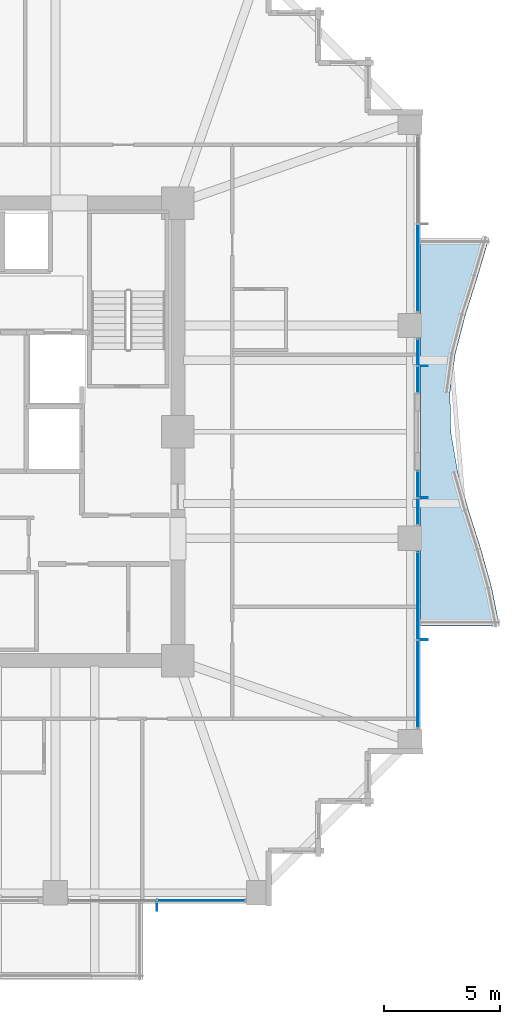
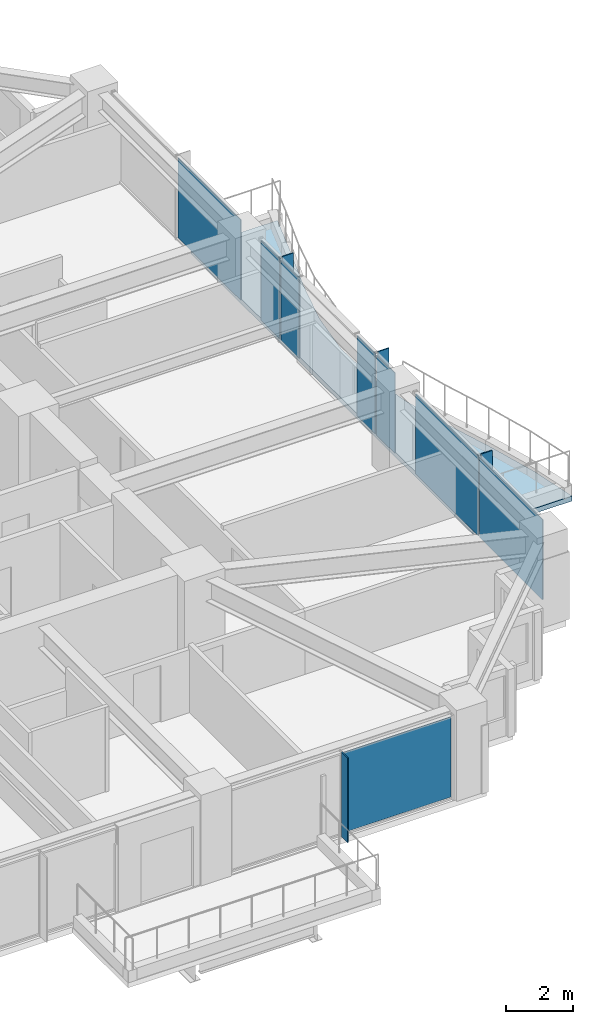
# One storey, part 28 of 38: 12 plates, 1 slab, 5 elements without a shape of their own.
"""IFC4 building model written with IfcOpenShell, lengths in metres."""

from ifc_helpers import new_model, si_unit, direction, frame, origin, origin_2d, place, context, subcontext, project, spatial, polyline, rectangle, outline, extrude, material, layer, layer_set, type_object, element, aggregate, save


model = new_model("IFC4")

# Units and contexts
model_context = context("Model", 3, precision=1e-05, world=origin(), true_north=direction((0.0, 1.0)))
body_context = subcontext(model_context, "Body", "Model", "MODEL_VIEW")
ifc_project = project(units=[si_unit("LENGTHUNIT", "METRE"), si_unit("AREAUNIT", "SQUARE_METRE"), si_unit("VOLUMEUNIT", "CUBIC_METRE"), si_unit("PLANEANGLEUNIT", "RADIAN"), si_unit("MASSUNIT", "GRAM", prefix="KILO")], contexts=[model_context])

# Site, building, storey
site_placement = place(None, origin())
site = spatial("IfcSite", under=ifc_project, at=site_placement, CompositionType="ELEMENT")
building_placement = place(site_placement, origin())
building = spatial("IfcBuilding", under=site, at=building_placement, Name="Kolvaren Belvedere", CompositionType="ELEMENT")
storey_placement = place(building_placement, frame((0.0, 0.0, 101.89990234375)))
storey = spatial("IfcBuildingStorey", under=building, at=storey_placement, Name="L29", CompositionType="ELEMENT", Elevation=101.89990234375)

# Curtain wall, plate
ifc_material_1 = material(Name="Anodised pale-metal aluminium AA 6063-T6", Category="aluminium")
curtain_wall_type = type_object("IfcCurtainWallType", Name="CW-Z2-MID", PredefinedType="NOTDEFINED", material=ifc_material_1)
curtain_wall_1_placement = place(storey_placement, origin())
curtain_wall_1 = element("IfcCurtainWall", 1, at=curtain_wall_1_placement, inside=storey, type_object=curtain_wall_type, Name="L29 Unitised Curtain Wall FCW-L29-S1", PredefinedType="NOTDEFINED")
ifc_material_2 = material(Name="Low-iron triple insulated glass", Category="glass")
ifc_layer_1 = layer(ifc_material_2, 0.028076171875)
ifc_layer_set_1 = layer_set([ifc_layer_1], Name="Low-iron triple insulated glass")
plate_type_1 = type_object("IfcPlateType", Name="CW-PNL-VIS28", PredefinedType="CURTAIN_PANEL", material=ifc_layer_set_1)
plate_1_placement = place(storey_placement, frame((10.9111328125, -20.280029296875, 0.080078125), z_axis=(0.0, 0.0, 1.0), x_axis=(-1.0, 0.0, 0.0)))
plate_1 = element("IfcPlate", 2, at=plate_1_placement, type_object=plate_type_1, Name="FCW-L29-S1 Vision Glazing Panel 1", PredefinedType="CURTAIN_PANEL", context=body_context, shape_type="SweptSolid", body=[
    extrude(rectangle(XDim=3.742431640625, YDim=0.028076171875, at=origin_2d()), origin(), (0.0, 0.0, 1.0), 2.919921875),
])
aggregate(curtain_wall_1, [plate_1])

curtain_wall_2_placement = place(storey_placement, origin())
curtain_wall_2 = element("IfcCurtainWall", 3, at=curtain_wall_2_placement, inside=storey, type_object=curtain_wall_type, Name="L29 Unitised Curtain Wall FCW-L29-E1-B1", PredefinedType="NOTDEFINED")
plate_2_placement = place(storey_placement, frame((20.280029296875, 7.0888671875, 0.080078125), z_axis=(0.0, 0.0, 1.0), x_axis=(0.0, -1.0, 0.0)))
plate_2 = element("IfcPlate", 4, at=plate_2_placement, type_object=plate_type_1, Name="FCW-L29-E1-B1 Vision Glazing Panel 2", PredefinedType="CURTAIN_PANEL", context=body_context, shape_type="SweptSolid", body=[
    extrude(rectangle(XDim=3.742431640625, YDim=0.028076171875, at=origin_2d()), origin(), (0.0, 0.0, 1.0), 2.919921875),
])
aggregate(curtain_wall_2, [plate_2])

# Curtain wall, plates
curtain_wall_3_placement = place(storey_placement, origin())
curtain_wall_3 = element("IfcCurtainWall", 5, at=curtain_wall_3_placement, inside=storey, type_object=curtain_wall_type, Name="L29 Unitised Curtain Wall FCW-L29-E1-B2", PredefinedType="NOTDEFINED")
plate_3_placement = place(storey_placement, frame((20.280029296875, 3.43701171875, 0.080078125), z_axis=(0.0, 0.0, 1.0), x_axis=(0.0, -1.0, 0.0)))
plate_3 = element("IfcPlate", 6, at=plate_3_placement, type_object=plate_type_1, Name="FCW-L29-E1-B2 Vision Glazing Panel 1", PredefinedType="CURTAIN_PANEL", context=body_context, shape_type="SweptSolid", body=[
    extrude(rectangle(XDim=1.09130859375, YDim=0.028076171875, at=origin_2d()), origin(), (0.0, 0.0, 1.0), 2.919921875),
])
plate_4_placement = place(storey_placement, frame((20.280029296875, 2.265625, 0.080078125), z_axis=(0.0, 0.0, 1.0), x_axis=(0.0, -1.0, 0.0)))
plate_4 = element("IfcPlate", 7, at=plate_4_placement, type_object=plate_type_1, Name="FCW-L29-E1-B2 Vision Glazing Panel 2", PredefinedType="CURTAIN_PANEL", context=body_context, shape_type="SweptSolid", body=[
    extrude(rectangle(XDim=1.09130859375, YDim=0.028076171875, at=origin_2d()), origin(), (0.0, 0.0, 1.0), 2.919921875),
])
aggregate(curtain_wall_3, [plate_3, plate_4])

curtain_wall_4_placement = place(storey_placement, origin())
curtain_wall_4 = element("IfcCurtainWall", 8, at=curtain_wall_4_placement, inside=storey, type_object=curtain_wall_type, Name="L29 Unitised Curtain Wall FCW-L29-E2-B1", PredefinedType="NOTDEFINED")
plate_5_placement = place(storey_placement, frame((20.280029296875, -2.265625, 0.080078125), z_axis=(0.0, 0.0, 1.0), x_axis=(0.0, -1.0, 0.0)))
plate_5 = element("IfcPlate", 9, at=plate_5_placement, type_object=plate_type_1, Name="FCW-L29-E2-B1 Vision Glazing Panel 1", PredefinedType="CURTAIN_PANEL", context=body_context, shape_type="SweptSolid", body=[
    extrude(rectangle(XDim=1.09130859375, YDim=0.028076171875, at=origin_2d()), origin(), (0.0, 0.0, 1.0), 2.919921875),
])
plate_6_placement = place(storey_placement, frame((20.280029296875, -3.43701171875, 0.080078125), z_axis=(0.0, 0.0, 1.0), x_axis=(0.0, -1.0, 0.0)))
plate_6 = element("IfcPlate", 10, at=plate_6_placement, type_object=plate_type_1, Name="FCW-L29-E2-B1 Vision Glazing Panel 2", PredefinedType="CURTAIN_PANEL", context=body_context, shape_type="SweptSolid", body=[
    extrude(rectangle(XDim=1.09130859375, YDim=0.028076171875, at=origin_2d()), origin(), (0.0, 0.0, 1.0), 2.919921875),
])
aggregate(curtain_wall_4, [plate_5, plate_6])

curtain_wall_5_placement = place(storey_placement, origin())
curtain_wall_5 = element("IfcCurtainWall", 11, at=curtain_wall_5_placement, inside=storey, type_object=curtain_wall_type, Name="L29 Unitised Curtain Wall FCW-L29-E2-B2", PredefinedType="NOTDEFINED")
plate_7_placement = place(storey_placement, frame((20.280029296875, -7.0888671875, 0.080078125), z_axis=(0.0, 0.0, 1.0), x_axis=(0.0, -1.0, 0.0)))
plate_7 = element("IfcPlate", 12, at=plate_7_placement, type_object=plate_type_1, Name="FCW-L29-E2-B2 Vision Glazing Panel 1", PredefinedType="CURTAIN_PANEL", context=body_context, shape_type="SweptSolid", body=[
    extrude(rectangle(XDim=3.742431640625, YDim=0.028076171875, at=origin_2d()), origin(), (0.0, 0.0, 1.0), 2.919921875),
])
plate_8_placement = place(storey_placement, frame((20.280029296875, -10.9111328125, 0.080078125), z_axis=(0.0, 0.0, 1.0), x_axis=(0.0, -1.0, 0.0)))
plate_8 = element("IfcPlate", 13, at=plate_8_placement, type_object=plate_type_1, Name="FCW-L29-E2-B2 Vision Glazing Panel 2", PredefinedType="CURTAIN_PANEL", context=body_context, shape_type="SweptSolid", body=[
    extrude(rectangle(XDim=3.742431640625, YDim=0.028076171875, at=origin_2d()), origin(), (0.0, 0.0, 1.0), 2.919921875),
])
aggregate(curtain_wall_5, [plate_7, plate_8])

# Plates
ifc_material_3 = material(Name="Anodised pale-metal aluminium AA 6063-T6", Category="aluminium")
ifc_layer_2 = layer(ifc_material_3, 0.033935546875)
ifc_layer_set_2 = layer_set([ifc_layer_2], Name="Anodised pale-metal aluminium AA 6063-T6")
plate_type_2 = type_object("IfcPlateType", Name="FIN-VERT-380", PredefinedType="USERDEFINED", material=ifc_layer_set_2)
for number, where, z_axis, x_axis, name in (
    (14, (9.0, -20.52490234375, 0.0), (0.0, 0.0, 1.0), (0.0, 1.0, 0.0), "L29 Pale-Metal Vertical Shading Fin FCW-L29-S1-1"),
    (15, (20.52490234375, 2.851318359375, 0.0), (0.0, 0.0, 1.0), (1.0, 0.0, 0.0), "L29 Pale-Metal Vertical Shading Fin FCW-L29-E1-B2-1"),
    (16, (20.52490234375, -2.851318359375, 0.0), (0.0, 0.0, 1.0), (1.0, 0.0, 0.0), "L29 Pale-Metal Vertical Shading Fin FCW-L29-E2-B1-1"),
    (17, (20.52490234375, -9.0, 0.0), (0.0, 0.0, 1.0), (1.0, 0.0, 0.0), "L29 Pale-Metal Vertical Shading Fin FCW-L29-E2-B2-1"),
):
    element("IfcPlate", number, at=place(storey_placement, frame(where, z_axis=z_axis, x_axis=x_axis)), inside=storey, type_object=plate_type_2, Name=name, ObjectType="VERTICAL FIN", PredefinedType="USERDEFINED", context=body_context, shape_type="SweptSolid", body=[
        extrude(rectangle(XDim=0.3798828125, YDim=0.033935546875, at=origin_2d()), origin(), (0.0, 0.0, 1.0), 3.080078125),
    ])

# Slab
ifc_material_4 = material(Name="Concrete C50/60", Category="concrete")
ifc_layer_3 = layer(ifc_material_4, 0.179931640625)
ifc_layer_set_3 = layer_set([ifc_layer_3], Name="Concrete C50/60")
slab_type = type_object("IfcSlabType", Name="SL-BAL-180", PredefinedType="FLOOR", material=ifc_layer_set_3)
slab_placement = place(storey_placement, frame((0.0, 0.0, -0.219970703125)))
element("IfcSlab", 18, at=slab_placement, inside=storey, type_object=slab_type, Name="L29 Planted Balcony BAL-E", PredefinedType="FLOOR", context=body_context, shape_type="SweptSolid", body=[
    extrude(outline(polyline([(23.820068359375, -8.39990234375), (23.479248046875, -6.719970703125), (23.008544921875, -5.0400390625), (22.471435546875, -3.360107421875), (22.000732421875, -1.679931640625), (21.712890625, 0.0), (21.67919921875, 1.679931640625), (21.90771484375, 3.360107421875), (22.34228515625, 5.0400390625), (22.87548828125, 6.719970703125), (23.374755859375, 8.39990234375), (20.39990234375, 8.39990234375), (20.39990234375, 6.719970703125), (20.39990234375, 5.0400390625), (20.39990234375, 3.360107421875), (20.39990234375, 1.679931640625), (20.39990234375, 0.0), (20.39990234375, -1.679931640625), (20.39990234375, -3.360107421875), (20.39990234375, -5.0400390625), (20.39990234375, -6.719970703125), (20.39990234375, -8.39990234375), (23.820068359375, -8.39990234375)])), origin(), (0.0, 0.0, 1.0), 0.18017578125),
])

save(model, "model.ifc")
